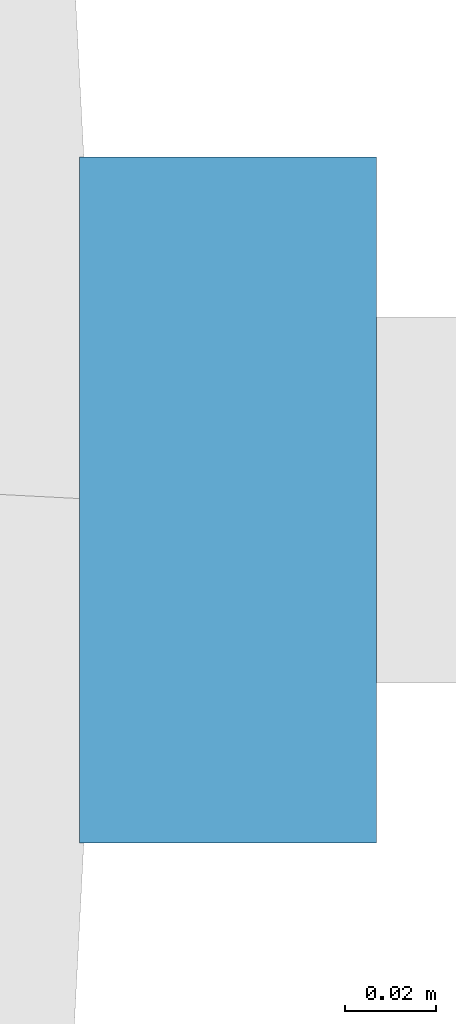
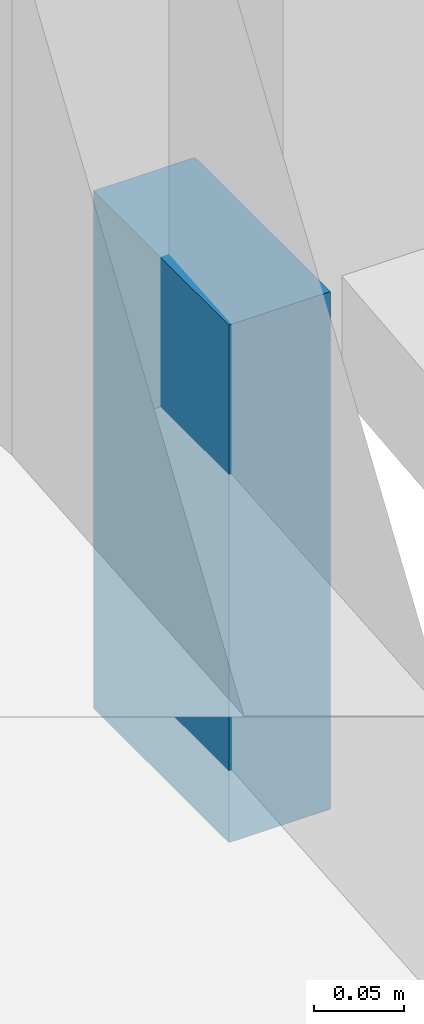
# One storey, part 16 of 19: 1 discrete accessory.
"""IFC4 building model written with IfcOpenShell, lengths in metres."""

from ifc_helpers import new_model, si_unit, direction, frame, origin, origin_2d, place, context, subcontext, project, spatial, rectangle, extrude, material, type_object, element, save


model = new_model("IFC4")

# Units and contexts
model_context = context("Model", 3, precision=1e-05, world=origin(), true_north=direction((0.0, 1.0)))
body_context = subcontext(model_context, "Body", "Model", "MODEL_VIEW")
ifc_project = project(units=[si_unit("LENGTHUNIT", "METRE"), si_unit("AREAUNIT", "SQUARE_METRE"), si_unit("VOLUMEUNIT", "CUBIC_METRE"), si_unit("PLANEANGLEUNIT", "RADIAN"), si_unit("MASSUNIT", "GRAM", prefix="KILO")], contexts=[model_context])

# Site, building, storey
site_placement = place(None, origin())
site = spatial("IfcSite", under=ifc_project, at=site_placement, CompositionType="ELEMENT")
building_placement = place(site_placement, origin())
building = spatial("IfcBuilding", under=site, at=building_placement, Name="Ghaith Harvest Tower", CompositionType="ELEMENT")
storey_placement = place(building_placement, frame((0.0, 0.0, 70.0)))
storey = spatial("IfcBuildingStorey", under=building, at=storey_placement, Name="L14", CompositionType="ELEMENT", Elevation=70.0)

# Discrete accessory
ifc_material = material(Name="Stainless steel grade 1.4401", Category="steel")
discrete_accessory_type = type_object("IfcDiscreteAccessoryType", Name="CURTAIN WALL BRACKET 65", PredefinedType="BRACKET", material=ifc_material)
discrete_accessory_placement = place(storey_placement, frame((34.152587890625, 0.0, -0.25), z_axis=(0.0, 0.0, 1.0), x_axis=(1.0, 0.0, 0.0)))
element("IfcDiscreteAccessory", 1, at=discrete_accessory_placement, inside=storey, type_object=discrete_accessory_type, Name="CW-F bracket 1 bay 01 L14", PredefinedType="BRACKET", context=body_context, shape_type="SweptSolid", body=[
    extrude(rectangle(XDim=0.06494140625, YDim=0.14990234375, at=origin_2d()), origin(), (0.0, 0.0, 1.0), 0.35009765625),
])

save(model, "model.ifc")
